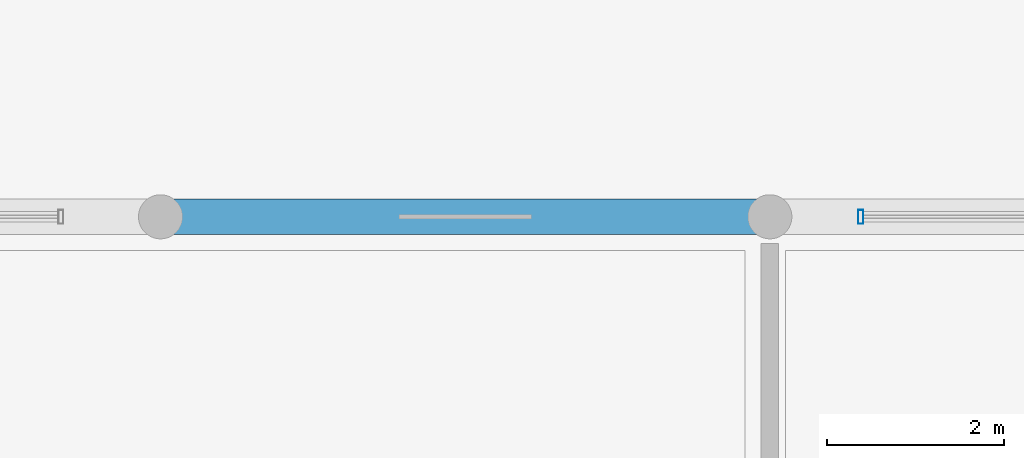
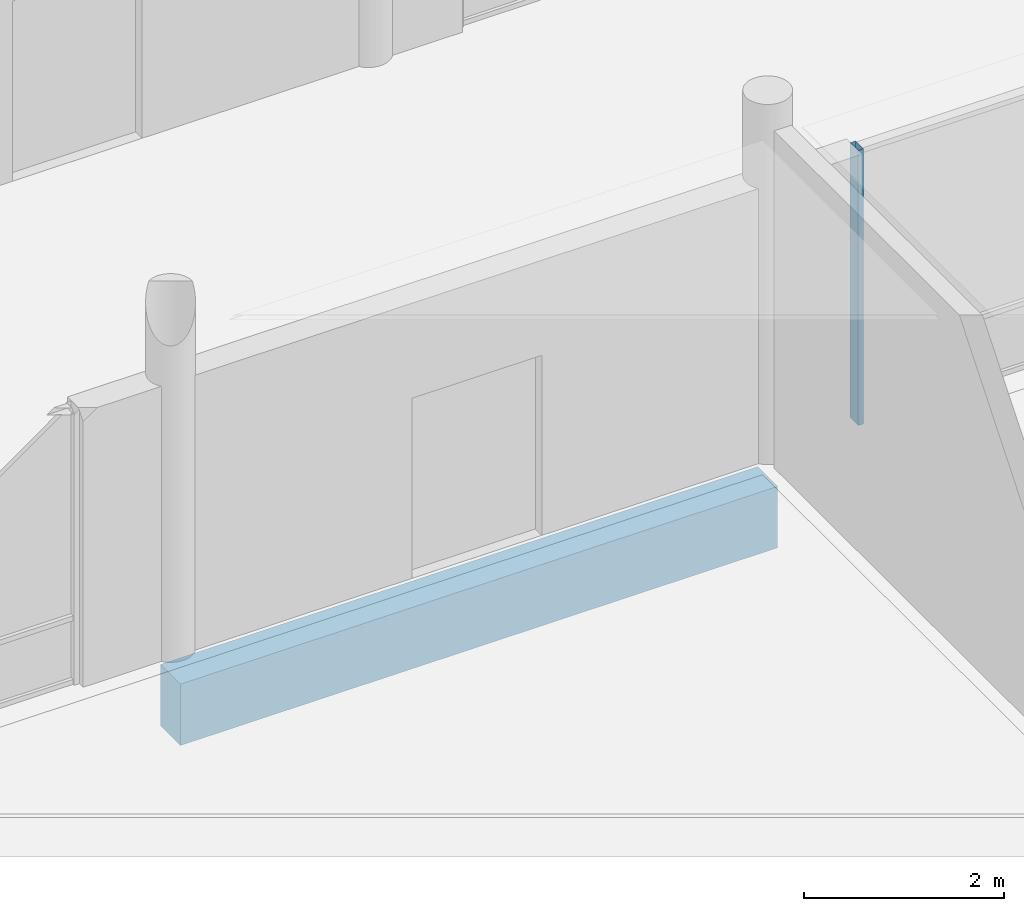
# One storey, part 53 of 233: 1 beam, 1 member, 1 element without a shape of its own.
"""IFC4 building model written with IfcOpenShell, lengths in metres."""

from ifc_helpers import new_model, si_unit, direction, frame, origin, origin_2d, place, context, subcontext, project, spatial, rectangle, hollow_rectangle, extrude, material, material_profile, profile_set, type_object, element, aggregate, save


model = new_model("IFC4")

# Units and contexts
model_context = context("Model", 3, precision=1e-05, world=origin(), true_north=direction((0.0, 1.0)))
body_context = subcontext(model_context, "Body", "Model", "MODEL_VIEW")
ifc_project = project(units=[si_unit("LENGTHUNIT", "METRE"), si_unit("AREAUNIT", "SQUARE_METRE"), si_unit("VOLUMEUNIT", "CUBIC_METRE"), si_unit("PLANEANGLEUNIT", "RADIAN"), si_unit("MASSUNIT", "GRAM", prefix="KILO")], contexts=[model_context])

# Site, building, storey
site_placement = place(None, origin())
site = spatial("IfcSite", under=ifc_project, at=site_placement, CompositionType="ELEMENT")
building_placement = place(site_placement, origin())
building = spatial("IfcBuilding", under=site, at=building_placement, Name="Zavelmont Quarter", CompositionType="ELEMENT")
storey_placement = place(building_placement, origin())
storey = spatial("IfcBuildingStorey", under=building, at=storey_placement, Name="L00", CompositionType="ELEMENT", Elevation=0.0)

# Beam
ifc_material_1 = material(Name="Concrete C40/50", Category="concrete")
ifc_material_profile_1 = material_profile(ifc_material_1, rectangle(XDim=0.39990234375, YDim=0.75, at=origin_2d()), Name="RC400X750")
ifc_profile_set_1 = profile_set([ifc_material_profile_1], Name="Concrete C40/50")
beam_type = type_object("IfcBeamType", Name="BM05", PredefinedType="BEAM", material=ifc_profile_set_1)
beam_placement = place(storey_placement, frame((6.89990234375, 54.0, -0.695068359375), z_axis=(1.0, 0.0, 0.0), x_axis=(0.0, 1.0, 0.0)))
element("IfcBeam", 1, at=beam_placement, inside=storey, type_object=beam_type, Name="L00 beam BM05 2/J to 3/J", PredefinedType="BEAM", context=body_context, shape_type="SweptSolid", body=[
    extrude(rectangle(XDim=0.39990234375, YDim=0.75, at=origin_2d()), origin(), (0.0, 0.0, 1.0), 6.900146484375),
])

# Curtain wall, member
ifc_material_2 = material(Name="Thermally broken aluminium and double low-E safety glazing", Category="aluminium")
curtain_wall_type = type_object("IfcCurtainWallType", Name="CW-470X336", PredefinedType="NOTDEFINED", material=ifc_material_2)
curtain_wall_placement = place(storey_placement, origin())
curtain_wall = element("IfcCurtainWall", 2, at=curtain_wall_placement, inside=storey, type_object=curtain_wall_type, Name="L00 unitised curtain wall CW-470X336", PredefinedType="NOTDEFINED")
ifc_material_3 = material(Name="Powder-coated aluminium EN AW-6063-T6", Category="aluminium")
ifc_material_profile_2 = material_profile(ifc_material_3, hollow_rectangle(XDim=0.06005859375, YDim=0.159912109375, WallThickness=0.00390625, at=origin_2d()), Name="CWM60X160")
ifc_profile_set_2 = profile_set([ifc_material_profile_2], Name="Powder-coated aluminium EN AW-6063-T6")
member_type = type_object("IfcMemberType", Name="CWM01", PredefinedType="MULLION", material=ifc_profile_set_2)
member_placement = place(storey_placement, frame((14.830078125, 54.0, 0.0), z_axis=(0.0, 0.0, 1.0), x_axis=(1.0, 0.0, 0.0)))
member = element("IfcMember", 3, at=member_placement, type_object=member_type, Name="CW-470X336 mullion 1", PredefinedType="MULLION", context=body_context, shape_type="SweptSolid", body=[
    extrude(hollow_rectangle(XDim=0.06005859375, YDim=0.159912109375, WallThickness=0.00390625, at=origin_2d()), origin(), (0.0, 0.0, 1.0), 3.360107421875),
])
aggregate(curtain_wall, [member])

save(model, "model.ifc")
